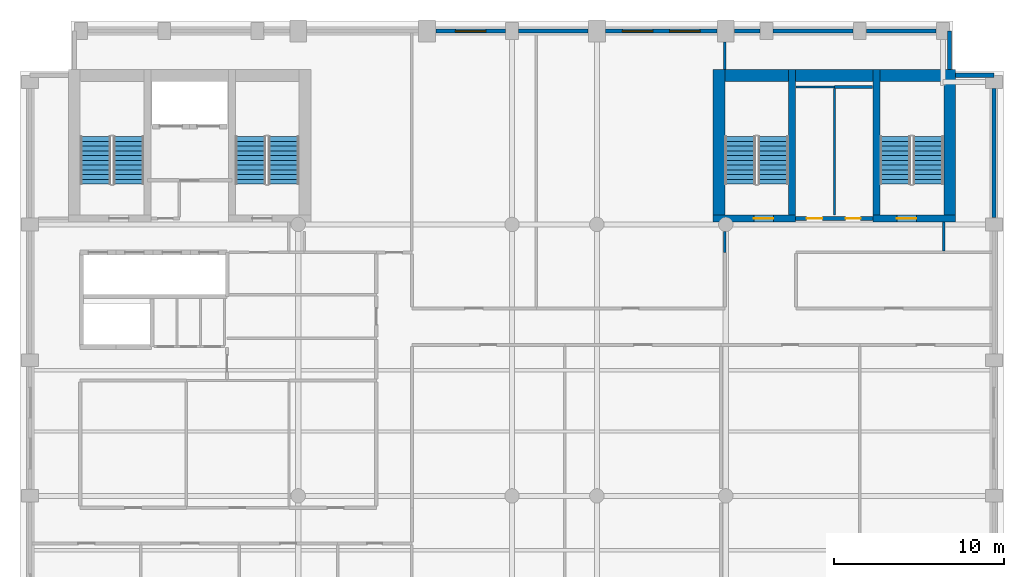
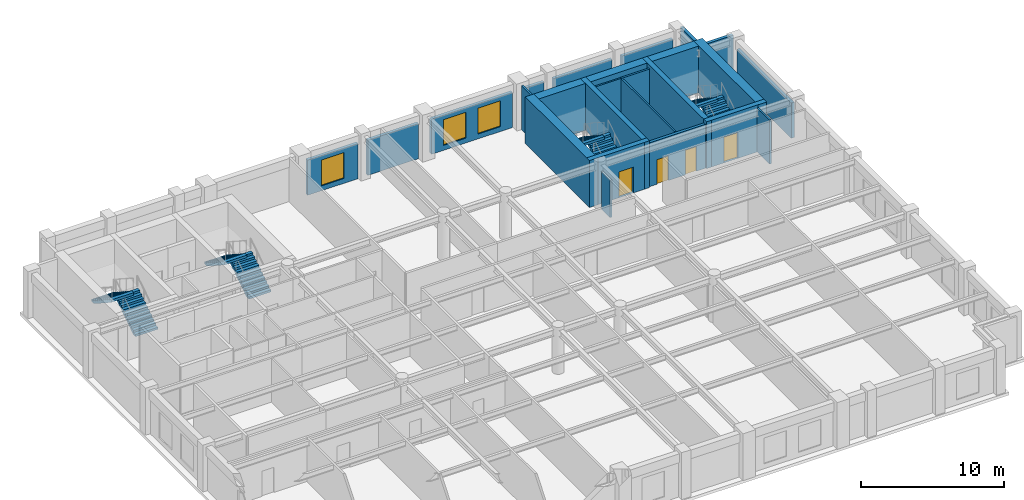
# One storey, part 6 of 8: 23 walls, 8 stair flights, 4 doors, 3 windows, 7 openings, 4 elements without a shape of their own.
"""IFC4 building model written with IfcOpenShell, lengths in metres."""

from ifc_helpers import new_model, si_unit, direction, frame, frame_2d, origin, place, context, subcontext, project, spatial, polyline, rectangle, outline, extrude, material, layer, layer_set, type_object, element, fill, aggregate, save


model = new_model("IFC4")

# Units and contexts
model_context = context("Model", 3, precision=1e-05, world=origin(), true_north=direction((0.0, 1.0)))
body_context = subcontext(model_context, "Body", "Model", "MODEL_VIEW")
ifc_project = project(units=[si_unit("LENGTHUNIT", "METRE"), si_unit("AREAUNIT", "SQUARE_METRE"), si_unit("VOLUMEUNIT", "CUBIC_METRE"), si_unit("PLANEANGLEUNIT", "RADIAN"), si_unit("MASSUNIT", "GRAM", prefix="KILO")], contexts=[model_context])

# Site, building, storey
site_placement = place(None, origin())
site = spatial("IfcSite", under=ifc_project, at=site_placement, CompositionType="ELEMENT")
building_placement = place(site_placement, origin())
building = spatial("IfcBuilding", under=site, at=building_placement, Name="Sulina Concourse Tower", CompositionType="ELEMENT")
storey_placement = place(building_placement, frame((0.0, 0.0, 256.60009765625)))
storey = spatial("IfcBuildingStorey", under=building, at=storey_placement, Name="L62", CompositionType="ELEMENT", Elevation=256.60009765625)

# Wall, opening, window
ifc_material_1 = material(Name="Precast concrete C50/60", Category="concrete")
ifc_layer_1 = layer(ifc_material_1, 0.239990234375)
ifc_layer_set_1 = layer_set([ifc_layer_1], Name="Precast concrete C50/60")
wall_type_1 = type_object("IfcWallType", Name="Crown Precast Masonry-Frame Facade Wall 240mm", PredefinedType="SOLIDWALL", material=ifc_layer_set_1)
wall_1_placement = place(storey_placement, frame((24.52001953125, 45.39990234375, 0.0), z_axis=(0.0, 0.0, 1.0), x_axis=(1.0, 0.0, 0.0)))
wall_1 = element("IfcWall", 1, at=wall_1_placement, inside=storey, type_object=wall_type_1, Name="L62 exterior precast wall N5", PredefinedType="SOLIDWALL", context=body_context, shape_type="SweptSolid", body=[
    extrude(rectangle(XDim=4.0849609375, YDim=0.239990234375, at=frame_2d((2.04248046875, 0.0))), origin(), (0.0, 0.0, 1.0), 3.0),
])
opening_1_placement = place(wall_1_placement, frame((1.142578125, 0.0, 0.419921875)))
opening_1 = element("IfcOpeningElement", 2, at=opening_1_placement, cuts=wall_1, Name="Opening WN-25", PredefinedType="OPENING", context=body_context, shape_type="SweptSolid", body=[
    extrude(rectangle(XDim=1.800048828125, YDim=2.199951171875, at=frame_2d((0.89990234375, 1.10009765625))), frame((0.0, 0.1298828125, 0.0), z_axis=(0.0, -1.0, 0.0), x_axis=(1.0, 0.0, 0.0)), (0.0, 0.0, 1.0), 0.260009765625),
])
ifc_material_2 = material(Name="Low-E solar double glazing in bronze aluminium", Category="aluminium")
window_type = type_object("IfcWindowType", Name="Punched Masonry-Frame Window 1800x2200", PartitioningType="SINGLE_PANEL", PredefinedType="WINDOW", material=ifc_material_2)
window_1_placement = place(opening_1_placement, origin())
window_1 = element("IfcWindow", 3, at=window_1_placement, inside=storey, type_object=window_type, Name="L62 punched window N5-1", OverallHeight=2.199951171875, OverallWidth=1.800048828125, PartitioningType="SINGLE_PANEL", PredefinedType="WINDOW", context=body_context, shape_type="SweptSolid", body=[
    extrude(rectangle(XDim=1.800048828125, YDim=2.199951171875, at=frame_2d((0.89990234375, 1.10009765625))), frame((0.0, 0.030029296875, 0.0), z_axis=(0.0, -1.0, 0.0), x_axis=(1.0, 0.0, 0.0)), (0.0, 0.0, 1.0), 0.06005859375),
])
fill(opening_1, window_1)

# Wall
wall_2_placement = place(storey_placement, frame((29.39501953125, 45.39990234375, 0.0), z_axis=(0.0, 0.0, 1.0), x_axis=(1.0, 0.0, 0.0)))
element("IfcWall", 4, at=wall_2_placement, inside=storey, type_object=wall_type_1, Name="L62 exterior precast wall N6", PredefinedType="SOLIDWALL", context=body_context, shape_type="SweptSolid", body=[
    extrude(rectangle(XDim=4.0849609375, YDim=0.239990234375, at=frame_2d((2.04248046875, 0.0))), origin(), (0.0, 0.0, 1.0), 3.0),
])

# Wall, openings, windows
wall_3_placement = place(storey_placement, frame((34.52001953125, 45.39990234375, 0.0), z_axis=(0.0, 0.0, 1.0), x_axis=(1.0, 0.0, 0.0)))
wall_3 = element("IfcWall", 5, at=wall_3_placement, inside=storey, type_object=wall_type_1, Name="L62 exterior precast wall N7", PredefinedType="SOLIDWALL", context=body_context, shape_type="SweptSolid", body=[
    extrude(rectangle(XDim=6.56005859375, YDim=0.239990234375, at=frame_2d((3.280029296875, 0.0))), origin(), (0.0, 0.0, 1.0), 3.0),
])
opening_2_placement = place(wall_3_placement, frame((0.98681640625, 0.0, 0.419921875)))
opening_2 = element("IfcOpeningElement", 6, at=opening_2_placement, cuts=wall_3, Name="Opening WN-25", PredefinedType="OPENING", context=body_context, shape_type="SweptSolid", body=[
    extrude(rectangle(XDim=1.800048828125, YDim=2.199951171875, at=frame_2d((0.89990234375, 1.10009765625))), frame((0.0, 0.1298828125, 0.0), z_axis=(0.0, -1.0, 0.0), x_axis=(1.0, 0.0, 0.0)), (0.0, 0.0, 1.0), 0.260009765625),
])
opening_3_placement = place(wall_3_placement, frame((3.773193359375, 0.0, 0.419921875)))
opening_3 = element("IfcOpeningElement", 7, at=opening_3_placement, cuts=wall_3, Name="Opening WN-25", PredefinedType="OPENING", context=body_context, shape_type="SweptSolid", body=[
    extrude(rectangle(XDim=1.800048828125, YDim=2.199951171875, at=frame_2d((0.89990234375, 1.10009765625))), frame((0.0, 0.1298828125, 0.0), z_axis=(0.0, -1.0, 0.0), x_axis=(1.0, 0.0, 0.0)), (0.0, 0.0, 1.0), 0.260009765625),
])
window_2_placement = place(opening_2_placement, origin())
window_2 = element("IfcWindow", 8, at=window_2_placement, inside=storey, type_object=window_type, Name="L62 punched window N7-1", OverallHeight=2.199951171875, OverallWidth=1.800048828125, PartitioningType="SINGLE_PANEL", PredefinedType="WINDOW", context=body_context, shape_type="SweptSolid", body=[
    extrude(rectangle(XDim=1.800048828125, YDim=2.199951171875, at=frame_2d((0.89990234375, 1.10009765625))), frame((0.0, 0.030029296875, 0.0), z_axis=(0.0, -1.0, 0.0), x_axis=(1.0, 0.0, 0.0)), (0.0, 0.0, 1.0), 0.06005859375),
])
fill(opening_2, window_2)
window_3_placement = place(opening_3_placement, origin())
window_3 = element("IfcWindow", 9, at=window_3_placement, inside=storey, type_object=window_type, Name="L62 punched window N7-2", OverallHeight=2.199951171875, OverallWidth=1.800048828125, PartitioningType="SINGLE_PANEL", PredefinedType="WINDOW", context=body_context, shape_type="SweptSolid", body=[
    extrude(rectangle(XDim=1.800048828125, YDim=2.199951171875, at=frame_2d((0.89990234375, 1.10009765625))), frame((0.0, 0.030029296875, 0.0), z_axis=(0.0, -1.0, 0.0), x_axis=(1.0, 0.0, 0.0)), (0.0, 0.0, 1.0), 0.06005859375),
])
fill(opening_3, window_3)

# Walls
wall_4_placement = place(storey_placement, frame((42.1201171875, 45.39990234375, 0.0), z_axis=(0.0, 0.0, 1.0), x_axis=(1.0, 0.0, 0.0)))
element("IfcWall", 10, at=wall_4_placement, inside=storey, type_object=wall_type_1, Name="L62 exterior precast wall N8", PredefinedType="SOLIDWALL", context=body_context, shape_type="SweptSolid", body=[
    extrude(rectangle(XDim=1.48486328125, YDim=0.239990234375, at=frame_2d((0.742431640625, 0.0))), origin(), (0.0, 0.0, 1.0), 3.0),
])
wall_5_placement = place(storey_placement, frame((44.39501953125, 45.39990234375, 0.0), z_axis=(0.0, 0.0, 1.0), x_axis=(1.0, 0.0, 0.0)))
element("IfcWall", 11, at=wall_5_placement, inside=storey, type_object=wall_type_1, Name="L62 exterior precast wall N9", PredefinedType="SOLIDWALL", context=body_context, shape_type="SweptSolid", body=[
    extrude(rectangle(XDim=4.7099609375, YDim=0.239990234375, at=frame_2d((2.35498046875, 0.0))), origin(), (0.0, 0.0, 1.0), 3.0),
])
wall_6_placement = place(storey_placement, frame((49.89501953125, 45.39990234375, 0.0), z_axis=(0.0, 0.0, 1.0), x_axis=(1.0, 0.0, 0.0)))
element("IfcWall", 12, at=wall_6_placement, inside=storey, type_object=wall_type_1, Name="L62 exterior precast wall N10", PredefinedType="SOLIDWALL", context=body_context, shape_type="SweptSolid", body=[
    extrude(rectangle(XDim=4.10986328125, YDim=0.239990234375, at=frame_2d((2.054931640625, 0.0))), origin(), (0.0, 0.0, 1.0), 3.0),
])
wall_7_placement = place(storey_placement, frame((57.39990234375, 42.0048828125, 0.0), z_axis=(0.0, 0.0, 1.0), x_axis=(0.0, -1.0, 0.0)))
element("IfcWall", 13, at=wall_7_placement, inside=storey, type_object=wall_type_1, Name="L62 exterior precast wall E5", PredefinedType="SOLIDWALL", context=body_context, shape_type="SweptSolid", body=[
    extrude(rectangle(XDim=7.60986328125, YDim=0.239990234375, at=frame_2d((3.804931640625, 0.0))), origin(), (0.0, 0.0, 1.0), 3.0),
])
wall_8_placement = place(storey_placement, frame((54.794921875, 45.39990234375, 0.0), z_axis=(0.0, 0.0, 1.0), x_axis=(0.0, -1.0, 0.0)))
element("IfcWall", 14, at=wall_8_placement, inside=storey, type_object=wall_type_1, Name="L62 exterior precast wall CNE1", PredefinedType="SOLIDWALL", context=body_context, shape_type="SweptSolid", body=[
    extrude(rectangle(XDim=2.264892578125, YDim=0.239990234375, at=frame_2d((1.13232421875, 0.0))), origin(), (0.0, 0.0, 1.0), 3.75),
])
wall_9_placement = place(storey_placement, frame((55.155029296875, 42.794921875, 0.0), z_axis=(0.0, 0.0, 1.0), x_axis=(1.0, 0.0, 0.0)))
element("IfcWall", 15, at=wall_9_placement, inside=storey, type_object=wall_type_1, Name="L62 exterior precast wall CNE2", PredefinedType="SOLIDWALL", context=body_context, shape_type="SweptSolid", body=[
    extrude(rectangle(XDim=2.244873046875, YDim=0.239990234375, at=frame_2d((1.12255859375, 0.0))), origin(), (0.0, 0.0, 1.0), 3.75),
])

# Wall, openings, doors
ifc_material_3 = material(Name="Gypsum board on steel stud", Category="steel")
ifc_layer_2 = layer(ifc_material_3, 0.219970703125)
ifc_layer_set_2 = layer_set([ifc_layer_2], Name="Gypsum board on steel stud")
wall_type_2 = type_object("IfcWallType", Name="Fire-Rated Lobby & Compartment Wall 220mm", PredefinedType="PARTITIONING", material=ifc_layer_set_2)
wall_10_placement = place(storey_placement, frame((45.719970703125, 34.35009765625, 0.0), z_axis=(0.0, 0.0, 1.0), x_axis=(1.0, 0.0, 0.0)))
wall_10 = element("IfcWall", 16, at=wall_10_placement, inside=storey, type_object=wall_type_2, Name="L62 east core south lobby wall", PredefinedType="PARTITIONING", context=body_context, shape_type="SweptSolid", body=[
    extrude(rectangle(XDim=4.56005859375, YDim=0.219970703125, at=frame_2d((2.280029296875, 0.0))), origin(), (0.0, 0.0, 1.0), 3.75),
])
opening_4_placement = place(wall_10_placement, frame((0.64990234375, 0.0, 0.0)))
opening_4 = element("IfcOpeningElement", 17, at=opening_4_placement, cuts=wall_10, Name="Opening DR-61", PredefinedType="OPENING", context=body_context, shape_type="SweptSolid", body=[
    extrude(rectangle(XDim=0.919921875, YDim=2.10009765625, at=frame_2d((0.4599609375, 1.050048828125))), frame((0.0, 0.119873046875, 0.0), z_axis=(0.0, -1.0, 0.0), x_axis=(1.0, 0.0, 0.0)), (0.0, 0.0, 1.0), 0.239990234375),
])
opening_5_placement = place(wall_10_placement, frame((2.949951171875, 0.0, 0.0)))
opening_5 = element("IfcOpeningElement", 18, at=opening_5_placement, cuts=wall_10, Name="Opening DR-38", PredefinedType="OPENING", context=body_context, shape_type="SweptSolid", body=[
    extrude(rectangle(XDim=0.8798828125, YDim=2.10009765625, at=frame_2d((0.43994140625, 1.050048828125))), frame((0.0, 0.119873046875, 0.0), z_axis=(0.0, -1.0, 0.0), x_axis=(1.0, 0.0, 0.0)), (0.0, 0.0, 1.0), 0.239990234375),
])
ifc_material_4 = material(Name="Oak-veneered fire door leaf")
ifc_layer_3 = layer(ifc_material_4, 0.050048828125)
ifc_layer_set_3 = layer_set([ifc_layer_3], Name="Oak-veneered fire door leaf")
door_type_1 = type_object("IfcDoorType", Name="Accessible WC Door 920x2100", OperationType="NOTDEFINED", PredefinedType="DOOR", material=ifc_layer_set_3)
door_1_placement = place(opening_4_placement, origin())
door_1 = element("IfcDoor", 19, at=door_1_placement, inside=storey, type_object=door_type_1, Name="L62 east core accessible wc door", OperationType="SINGLE_SWING_LEFT", OverallHeight=2.10009765625, OverallWidth=0.919921875, PredefinedType="DOOR", context=body_context, shape_type="SweptSolid", body=[
    extrude(rectangle(XDim=0.919921875, YDim=2.10009765625, at=frame_2d((0.4599609375, 1.050048828125))), frame((0.0, 0.02490234375, 0.0), z_axis=(0.0, -1.0, 0.0), x_axis=(1.0, 0.0, 0.0)), (0.0, 0.0, 1.0), 0.050048828125),
])
fill(opening_4, door_1)
ifc_material_5 = material(Name="Galvanised steel acoustic fire leaf", Category="steel")
ifc_layer_4 = layer(ifc_material_5, 0.050048828125)
ifc_layer_set_4 = layer_set([ifc_layer_4], Name="Galvanised steel acoustic fire leaf")
door_type_2 = type_object("IfcDoorType", Name="Service Riser Fire Door 880x2100", OperationType="NOTDEFINED", PredefinedType="DOOR", material=ifc_layer_set_4)
door_2_placement = place(opening_5_placement, origin())
door_2 = element("IfcDoor", 20, at=door_2_placement, inside=storey, type_object=door_type_2, Name="L62 east core store door", OperationType="SINGLE_SWING_RIGHT", OverallHeight=2.10009765625, OverallWidth=0.8798828125, PredefinedType="DOOR", context=body_context, shape_type="SweptSolid", body=[
    extrude(rectangle(XDim=0.8798828125, YDim=2.10009765625, at=frame_2d((0.43994140625, 1.050048828125))), frame((0.0, 0.02490234375, 0.0), z_axis=(0.0, -1.0, 0.0), x_axis=(1.0, 0.0, 0.0)), (0.0, 0.0, 1.0), 0.050048828125),
])
fill(opening_5, door_2)

# Walls
ifc_material_6 = material(Name="Gypsum board on steel stud", Category="steel")
ifc_layer_5 = layer(ifc_material_6, 0.14990234375)
ifc_layer_set_5 = layer_set([ifc_layer_5], Name="Gypsum board on steel stud")
wall_type_3 = type_object("IfcWallType", Name="Inter-Tenancy Acoustic Partition 150mm", PredefinedType="PARTITIONING", material=ifc_layer_set_5)
wall_11_placement = place(storey_placement, frame((48.0, 42.10009765625, 0.0), z_axis=(0.0, 0.0, 1.0), x_axis=(1.0, 0.0, 0.0)))
element("IfcWall", 21, at=wall_11_placement, inside=storey, type_object=wall_type_3, Name="L62 interior partition 033", PredefinedType="PARTITIONING", context=body_context, shape_type="SweptSolid", body=[
    extrude(rectangle(XDim=2.25, YDim=0.14990234375, at=frame_2d((1.125, 0.0))), origin(), (0.0, 0.0, 1.0), 3.75),
])
wall_12_placement = place(storey_placement, frame((41.550048828125, 32.35009765625, 0.0), z_axis=(0.0, 0.0, 1.0), x_axis=(0.0, 1.0, 0.0)))
element("IfcWall", 22, at=wall_12_placement, inside=storey, type_object=wall_type_3, Name="L62 interior partition 061", PredefinedType="PARTITIONING", context=body_context, shape_type="SweptSolid", body=[
    extrude(rectangle(XDim=1.224853515625, YDim=0.14990234375, at=frame_2d((0.6123046875, 0.0))), origin(), (0.0, 0.0, 1.0), 3.19482421875),
])
wall_13_placement = place(storey_placement, frame((41.550048828125, 43.1298828125, 0.0), z_axis=(0.0, 0.0, 1.0), x_axis=(0.0, 1.0, 0.0)))
element("IfcWall", 23, at=wall_13_placement, inside=storey, type_object=wall_type_3, Name="L62 interior partition 062", PredefinedType="PARTITIONING", context=body_context, shape_type="SweptSolid", body=[
    extrude(rectangle(XDim=1.6201171875, YDim=0.14990234375, at=frame_2d((0.81005859375, 0.0))), origin(), (0.0, 0.0, 1.0), 3.75),
])
wall_14_placement = place(storey_placement, frame((54.449951171875, 32.425048828125, 0.0), z_axis=(0.0, 0.0, 1.0), x_axis=(0.0, 1.0, 0.0)))
element("IfcWall", 24, at=wall_14_placement, inside=storey, type_object=wall_type_3, Name="L62 interior partition 066", PredefinedType="PARTITIONING", context=body_context, shape_type="SweptSolid", body=[
    extrude(rectangle(XDim=1.724853515625, YDim=0.14990234375, at=frame_2d((0.8623046875, 0.0))), origin(), (0.0, 0.0, 1.0), 3.75),
])

# Wall, opening, door
ifc_material_7 = material(Name="Concrete C60/75", Category="concrete")
ifc_layer_6 = layer(ifc_material_7, 0.39990234375)
ifc_layer_set_6 = layer_set([ifc_layer_6], Name="Concrete C60/75")
wall_type_4 = type_object("IfcWallType", Name="Protected Stair Core Shear Wall 400mm", PredefinedType="SHEAR", material=ifc_layer_set_6)
wall_15_placement = place(storey_placement, frame((40.85009765625, 34.35009765625, 0.0), z_axis=(0.0, 0.0, 1.0), x_axis=(1.0, 0.0, 0.0)))
wall_15 = element("IfcWall", 25, at=wall_15_placement, inside=storey, type_object=wall_type_4, Name="L62 east core shear wall CW-ES1", PredefinedType="SHEAR", context=body_context, shape_type="SweptSolid", body=[
    extrude(rectangle(XDim=4.85986328125, YDim=0.39990234375, at=frame_2d((2.429931640625, 0.0))), origin(), (0.0, 0.0, 1.0), 4.0),
])
opening_6_placement = place(wall_15_placement, frame((2.39990234375, 0.0, 0.0)))
opening_6 = element("IfcOpeningElement", 26, at=opening_6_placement, cuts=wall_15, Name="Opening DR-60", PredefinedType="OPENING", context=body_context, shape_type="SweptSolid", body=[
    extrude(rectangle(XDim=1.14990234375, YDim=2.199951171875, at=frame_2d((0.574951171875, 1.10009765625))), frame((0.0, 0.2099609375, 0.0), z_axis=(0.0, -1.0, 0.0), x_axis=(1.0, 0.0, 0.0)), (0.0, 0.0, 1.0), 0.419921875),
])
ifc_material_8 = material(Name="Galvanised steel acoustic fire leaf", Category="steel")
ifc_layer_7 = layer(ifc_material_8, 0.054931640625)
ifc_layer_set_7 = layer_set([ifc_layer_7], Name="Galvanised steel acoustic fire leaf")
door_type_3 = type_object("IfcDoorType", Name="Protected Exit Stair Fire Door 1150x2200", OperationType="NOTDEFINED", PredefinedType="DOOR", material=ifc_layer_set_7)
door_3_placement = place(opening_6_placement, origin())
door_3 = element("IfcDoor", 27, at=door_3_placement, inside=storey, type_object=door_type_3, Name="L62 stair ST-3 south lobby fire door", OperationType="SINGLE_SWING_RIGHT", OverallHeight=2.199951171875, OverallWidth=1.14990234375, PredefinedType="DOOR", context=body_context, shape_type="SweptSolid", body=[
    extrude(rectangle(XDim=1.14990234375, YDim=2.199951171875, at=frame_2d((0.574951171875, 1.10009765625))), frame((0.0, 0.02490234375, 0.0), z_axis=(0.0, -1.0, 0.0), x_axis=(1.0, 0.0, 0.0)), (0.0, 0.0, 1.0), 0.050048828125),
])
fill(opening_6, door_3)

# Wall
wall_16_placement = place(storey_placement, frame((45.510009765625, 34.14990234375, 0.0), z_axis=(0.0, 0.0, 1.0), x_axis=(0.0, 1.0, 0.0)))
element("IfcWall", 28, at=wall_16_placement, inside=storey, type_object=wall_type_4, Name="L62 east core shear wall SW-ST3", PredefinedType="SHEAR", context=body_context, shape_type="SweptSolid", body=[
    extrude(rectangle(XDim=8.97998046875, YDim=0.39990234375, at=frame_2d((4.489990234375, 0.0))), origin(), (0.0, 0.0, 1.0), 4.0),
])

# Wall, opening, door
wall_17_placement = place(storey_placement, frame((50.2900390625, 34.35009765625, 0.0), z_axis=(0.0, 0.0, 1.0), x_axis=(1.0, 0.0, 0.0)))
wall_17 = element("IfcWall", 29, at=wall_17_placement, inside=storey, type_object=wall_type_4, Name="L62 east core shear wall CW-ES2", PredefinedType="SHEAR", context=body_context, shape_type="SweptSolid", body=[
    extrude(rectangle(XDim=4.85986328125, YDim=0.39990234375, at=frame_2d((2.429931640625, 0.0))), origin(), (0.0, 0.0, 1.0), 4.0),
])
opening_7_placement = place(wall_17_placement, frame((1.39990234375, 0.0, 0.0)))
opening_7 = element("IfcOpeningElement", 30, at=opening_7_placement, cuts=wall_17, Name="Opening DR-60", PredefinedType="OPENING", context=body_context, shape_type="SweptSolid", body=[
    extrude(rectangle(XDim=1.14990234375, YDim=2.199951171875, at=frame_2d((0.574951171875, 1.10009765625))), frame((0.0, 0.2099609375, 0.0), z_axis=(0.0, -1.0, 0.0), x_axis=(1.0, 0.0, 0.0)), (0.0, 0.0, 1.0), 0.419921875),
])
door_4_placement = place(opening_7_placement, origin())
door_4 = element("IfcDoor", 31, at=door_4_placement, inside=storey, type_object=door_type_3, Name="L62 stair ST-4 south lobby fire door", OperationType="SINGLE_SWING_LEFT", OverallHeight=2.199951171875, OverallWidth=1.14990234375, PredefinedType="DOOR", context=body_context, shape_type="SweptSolid", body=[
    extrude(rectangle(XDim=1.14990234375, YDim=2.199951171875, at=frame_2d((0.574951171875, 1.10009765625))), frame((0.0, 0.02490234375, 0.0), z_axis=(0.0, -1.0, 0.0), x_axis=(1.0, 0.0, 0.0)), (0.0, 0.0, 1.0), 0.050048828125),
])
fill(opening_7, door_4)

# Walls
wall_18_placement = place(storey_placement, frame((50.489990234375, 34.14990234375, 0.0), z_axis=(0.0, 0.0, 1.0), x_axis=(0.0, 1.0, 0.0)))
element("IfcWall", 32, at=wall_18_placement, inside=storey, type_object=wall_type_4, Name="L62 east core shear wall SW-ST4", PredefinedType="SHEAR", context=body_context, shape_type="SweptSolid", body=[
    extrude(rectangle(XDim=8.97998046875, YDim=0.39990234375, at=frame_2d((4.489990234375, 0.0))), origin(), (0.0, 0.0, 1.0), 4.0),
])
ifc_material_9 = material(Name="Concrete C60/75", Category="concrete")
ifc_layer_8 = layer(ifc_material_9, 0.699951171875)
ifc_layer_set_8 = layer_set([ifc_layer_8], Name="Concrete C60/75")
wall_type_5 = type_object("IfcWallType", Name="Rear Core Shear Wall 700mm", PredefinedType="SHEAR", material=ifc_layer_set_8)
wall_19_placement = place(storey_placement, frame((40.85009765625, 42.780029296875, 0.0), z_axis=(0.0, 0.0, 1.0), x_axis=(1.0, 0.0, 0.0)))
element("IfcWall", 33, at=wall_19_placement, inside=storey, type_object=wall_type_5, Name="L62 east core shear wall CW-EN", PredefinedType="SHEAR", context=body_context, shape_type="SweptSolid", body=[
    extrude(rectangle(XDim=14.2998046875, YDim=0.699951171875, at=frame_2d((7.14990234375, 0.0))), origin(), (0.0, 0.0, 1.0), 4.0),
])
for number, where, z_axis, x_axis, name in (
    (34, (41.199951171875, 34.14990234375, 0.0), (0.0, 0.0, 1.0), (0.0, 1.0, 0.0), "L62 east core shear wall CW-EW"),
    (35, (54.800048828125, 34.14990234375, 0.0), (0.0, 0.0, 1.0), (0.0, 1.0, 0.0), "L62 east core shear wall CW-EE"),
):
    element("IfcWall", number, at=place(storey_placement, frame(where, z_axis=z_axis, x_axis=x_axis)), inside=storey, type_object=wall_type_5, Name=name, PredefinedType="SHEAR", context=body_context, shape_type="SweptSolid", body=[
        extrude(rectangle(XDim=8.97998046875, YDim=0.699951171875, at=frame_2d((4.489990234375, 0.0))), origin(), (0.0, 0.0, 1.0), 4.0),
    ])
ifc_material_10 = material(Name="Gypsum board on steel stud", Category="steel")
ifc_layer_9 = layer(ifc_material_10, 0.125)
ifc_layer_set_9 = layer_set([ifc_layer_9], Name="Gypsum board on steel stud")
wall_type_6 = type_object("IfcWallType", Name="Wet-Area Moisture-Resistant Partition 125mm", PredefinedType="PARTITIONING", material=ifc_layer_set_9)
wall_20_placement = place(storey_placement, frame((45.75, 42.10009765625, 0.0), z_axis=(0.0, 0.0, 1.0), x_axis=(1.0, 0.0, 0.0)))
element("IfcWall", 36, at=wall_20_placement, inside=storey, type_object=wall_type_6, Name="L62 interior partition 032", PredefinedType="PARTITIONING", context=body_context, shape_type="SweptSolid", body=[
    extrude(rectangle(XDim=2.25, YDim=0.125, at=frame_2d((1.125, 0.0))), origin(), (0.0, 0.0, 1.0), 3.75),
])
wall_21_placement = place(storey_placement, frame((48.0, 34.550048828125, 0.0), z_axis=(0.0, 0.0, 1.0), x_axis=(0.0, 1.0, 0.0)))
element("IfcWall", 37, at=wall_21_placement, inside=storey, type_object=wall_type_6, Name="L62 interior partition 064", PredefinedType="PARTITIONING", context=body_context, shape_type="SweptSolid", body=[
    extrude(rectangle(XDim=7.474853515625, YDim=0.125, at=frame_2d((3.7373046875, 0.0))), origin(), (0.0, 0.0, 1.0), 3.75),
])

# Stair, stair flights
ifc_material_11 = material(Name="Concrete C50/60", Category="concrete")
stair_type_1 = type_object("IfcStairType", Name="Portal & Podium Core Exit Stair 1820mm", PredefinedType="HALF_TURN_STAIR", material=ifc_material_11)
stair_1_placement = place(storey_placement, origin())
stair_1 = element("IfcStair", 38, at=stair_1_placement, inside=storey, type_object=stair_type_1, Name="L62 ST-3", PredefinedType="HALF_TURN_STAIR")
ifc_material_12 = material(Name="Concrete C50/60", Category="concrete")
stair_flight_type_1 = type_object("IfcStairFlightType", Name="Portal & Podium Core Exit Stair 1820mm Flight", PredefinedType="STRAIGHT", material=ifc_material_12)
stair_flight_1_placement = place(storey_placement, frame((44.405029296875, 36.375, 0.0), z_axis=(0.0, 0.0, 1.0), x_axis=(0.0, 1.0, 0.0)))
stair_flight_1 = element("IfcStairFlight", 39, at=stair_flight_1_placement, type_object=stair_flight_type_1, Name="ST-3 flight 1", NumberOfRisers=11, NumberOfTreads=10, PredefinedType="STRAIGHT", RiserHeight=0.181818182, TreadLength=0.28, context=body_context, shape_type="SweptSolid", body=[
    extrude(outline(polyline([(0.0, 0.0), (0.0, 0.181884765625), (0.280029296875, 0.181884765625), (0.280029296875, 0.363525390625), (0.56005859375, 0.363525390625), (0.56005859375, 0.54541015625), (0.840087890625, 0.54541015625), (0.840087890625, 0.727294921875), (1.1201171875, 0.727294921875), (1.1201171875, 0.9091796875), (1.39990234375, 0.9091796875), (1.39990234375, 1.0908203125), (1.679931640625, 1.0908203125), (1.679931640625, 1.272705078125), (1.9599609375, 1.272705078125), (1.9599609375, 1.45458984375), (2.239990234375, 1.45458984375), (2.239990234375, 1.636474609375), (2.52001953125, 1.636474609375), (2.52001953125, 1.818115234375), (2.800048828125, 1.818115234375), (2.800048828125, 2.0), (2.800048828125, 1.603759765625), (0.330322265625, 0.0), (0.0, 0.0)])), frame((0.0, 0.89990234375, 0.0), z_axis=(0.0, -1.0, 0.0), x_axis=(1.0, 0.0, 0.0)), (0.0, 0.0, 1.0), 1.800048828125),
])
stair_flight_2_placement = place(storey_placement, frame((42.455078125, 39.175048828125, 2.0), z_axis=(0.0, 0.0, 1.0), x_axis=(0.0, -1.0, 0.0)))
stair_flight_2 = element("IfcStairFlight", 40, at=stair_flight_2_placement, type_object=stair_flight_type_1, Name="ST-3 flight 2", NumberOfRisers=11, NumberOfTreads=10, PredefinedType="STRAIGHT", RiserHeight=0.181818182, TreadLength=0.28, context=body_context, shape_type="SweptSolid", body=[
    extrude(outline(polyline([(0.0, 0.0), (0.0, 0.181884765625), (0.280029296875, 0.181884765625), (0.280029296875, 0.363525390625), (0.56005859375, 0.363525390625), (0.56005859375, 0.54541015625), (0.840087890625, 0.54541015625), (0.840087890625, 0.727294921875), (1.1201171875, 0.727294921875), (1.1201171875, 0.9091796875), (1.39990234375, 0.9091796875), (1.39990234375, 1.0908203125), (1.679931640625, 1.0908203125), (1.679931640625, 1.272705078125), (1.9599609375, 1.272705078125), (1.9599609375, 1.45458984375), (2.239990234375, 1.45458984375), (2.239990234375, 1.636474609375), (2.52001953125, 1.636474609375), (2.52001953125, 1.818115234375), (2.800048828125, 1.818115234375), (2.800048828125, 2.0), (2.800048828125, 1.603759765625), (0.330322265625, 0.0), (0.0, 0.0)])), frame((0.0, 0.89990234375, 0.0), z_axis=(0.0, -1.0, 0.0), x_axis=(1.0, 0.0, 0.0)), (0.0, 0.0, 1.0), 1.800048828125),
])
aggregate(stair_1, [stair_flight_1, stair_flight_2])

stair_2_placement = place(storey_placement, origin())
stair_2 = element("IfcStair", 41, at=stair_2_placement, inside=storey, type_object=stair_type_1, Name="L62 ST-4", PredefinedType="HALF_TURN_STAIR")
stair_flight_3_placement = place(storey_placement, frame((53.544921875, 36.375, 0.0), z_axis=(0.0, 0.0, 1.0), x_axis=(0.0, 1.0, 0.0)))
stair_flight_3 = element("IfcStairFlight", 42, at=stair_flight_3_placement, type_object=stair_flight_type_1, Name="ST-4 flight 1", NumberOfRisers=11, NumberOfTreads=10, PredefinedType="STRAIGHT", RiserHeight=0.181818182, TreadLength=0.28, context=body_context, shape_type="SweptSolid", body=[
    extrude(outline(polyline([(0.0, 0.0), (0.0, 0.181884765625), (0.280029296875, 0.181884765625), (0.280029296875, 0.363525390625), (0.56005859375, 0.363525390625), (0.56005859375, 0.54541015625), (0.840087890625, 0.54541015625), (0.840087890625, 0.727294921875), (1.1201171875, 0.727294921875), (1.1201171875, 0.9091796875), (1.39990234375, 0.9091796875), (1.39990234375, 1.0908203125), (1.679931640625, 1.0908203125), (1.679931640625, 1.272705078125), (1.9599609375, 1.272705078125), (1.9599609375, 1.45458984375), (2.239990234375, 1.45458984375), (2.239990234375, 1.636474609375), (2.52001953125, 1.636474609375), (2.52001953125, 1.818115234375), (2.800048828125, 1.818115234375), (2.800048828125, 2.0), (2.800048828125, 1.603759765625), (0.330322265625, 0.0), (0.0, 0.0)])), frame((0.0, 0.89990234375, 0.0), z_axis=(0.0, -1.0, 0.0), x_axis=(1.0, 0.0, 0.0)), (0.0, 0.0, 1.0), 1.800048828125),
])
stair_flight_4_placement = place(storey_placement, frame((51.594970703125, 39.175048828125, 2.0), z_axis=(0.0, 0.0, 1.0), x_axis=(0.0, -1.0, 0.0)))
stair_flight_4 = element("IfcStairFlight", 43, at=stair_flight_4_placement, type_object=stair_flight_type_1, Name="ST-4 flight 2", NumberOfRisers=11, NumberOfTreads=10, PredefinedType="STRAIGHT", RiserHeight=0.181818182, TreadLength=0.28, context=body_context, shape_type="SweptSolid", body=[
    extrude(outline(polyline([(0.0, 0.0), (0.0, 0.181884765625), (0.280029296875, 0.181884765625), (0.280029296875, 0.363525390625), (0.56005859375, 0.363525390625), (0.56005859375, 0.54541015625), (0.840087890625, 0.54541015625), (0.840087890625, 0.727294921875), (1.1201171875, 0.727294921875), (1.1201171875, 0.9091796875), (1.39990234375, 0.9091796875), (1.39990234375, 1.0908203125), (1.679931640625, 1.0908203125), (1.679931640625, 1.272705078125), (1.9599609375, 1.272705078125), (1.9599609375, 1.45458984375), (2.239990234375, 1.45458984375), (2.239990234375, 1.636474609375), (2.52001953125, 1.636474609375), (2.52001953125, 1.818115234375), (2.800048828125, 1.818115234375), (2.800048828125, 2.0), (2.800048828125, 1.603759765625), (0.330322265625, 0.0), (0.0, 0.0)])), frame((0.0, 0.89990234375, 0.0), z_axis=(0.0, -1.0, 0.0), x_axis=(1.0, 0.0, 0.0)), (0.0, 0.0, 1.0), 1.800048828125),
])
aggregate(stair_2, [stair_flight_3, stair_flight_4])

ifc_material_13 = material(Name="Concrete C50/60", Category="concrete")
stair_type_2 = type_object("IfcStairType", Name="Primary Core Dog-Leg Exit Stair 1800mm", PredefinedType="HALF_TURN_STAIR", material=ifc_material_13)
stair_3_placement = place(storey_placement, origin())
stair_3 = element("IfcStair", 44, at=stair_3_placement, inside=storey, type_object=stair_type_2, Name="L62 ST-1", PredefinedType="HALF_TURN_STAIR")
ifc_material_14 = material(Name="Concrete C50/60", Category="concrete")
stair_flight_type_2 = type_object("IfcStairFlightType", Name="Primary Core Dog-Leg Exit Stair 1800mm Flight", PredefinedType="STRAIGHT", material=ifc_material_14)
stair_flight_5_placement = place(storey_placement, frame((6.405029296875, 36.375, 0.0), z_axis=(0.0, 0.0, 1.0), x_axis=(0.0, 1.0, 0.0)))
stair_flight_5 = element("IfcStairFlight", 45, at=stair_flight_5_placement, type_object=stair_flight_type_2, Name="ST-1 flight 1", NumberOfRisers=11, NumberOfTreads=10, PredefinedType="STRAIGHT", RiserHeight=0.181818182, TreadLength=0.28, context=body_context, shape_type="SweptSolid", body=[
    extrude(outline(polyline([(0.0, 0.0), (0.0, 0.181884765625), (0.280029296875, 0.181884765625), (0.280029296875, 0.363525390625), (0.56005859375, 0.363525390625), (0.56005859375, 0.54541015625), (0.840087890625, 0.54541015625), (0.840087890625, 0.727294921875), (1.1201171875, 0.727294921875), (1.1201171875, 0.9091796875), (1.39990234375, 0.9091796875), (1.39990234375, 1.0908203125), (1.679931640625, 1.0908203125), (1.679931640625, 1.272705078125), (1.9599609375, 1.272705078125), (1.9599609375, 1.45458984375), (2.239990234375, 1.45458984375), (2.239990234375, 1.636474609375), (2.52001953125, 1.636474609375), (2.52001953125, 1.818115234375), (2.800048828125, 1.818115234375), (2.800048828125, 2.0), (2.800048828125, 1.603759765625), (0.330322265625, 0.0), (0.0, 0.0)])), frame((0.0, 0.89990234375, 0.0), z_axis=(0.0, -1.0, 0.0), x_axis=(1.0, 0.0, 0.0)), (0.0, 0.0, 1.0), 1.800048828125),
])
stair_flight_6_placement = place(storey_placement, frame((4.455078125, 39.175048828125, 2.0), z_axis=(0.0, 0.0, 1.0), x_axis=(0.0, -1.0, 0.0)))
stair_flight_6 = element("IfcStairFlight", 46, at=stair_flight_6_placement, type_object=stair_flight_type_2, Name="ST-1 flight 2", NumberOfRisers=11, NumberOfTreads=10, PredefinedType="STRAIGHT", RiserHeight=0.181818182, TreadLength=0.28, context=body_context, shape_type="SweptSolid", body=[
    extrude(outline(polyline([(0.0, 0.0), (0.0, 0.181884765625), (0.280029296875, 0.181884765625), (0.280029296875, 0.363525390625), (0.56005859375, 0.363525390625), (0.56005859375, 0.54541015625), (0.840087890625, 0.54541015625), (0.840087890625, 0.727294921875), (1.1201171875, 0.727294921875), (1.1201171875, 0.9091796875), (1.39990234375, 0.9091796875), (1.39990234375, 1.0908203125), (1.679931640625, 1.0908203125), (1.679931640625, 1.272705078125), (1.9599609375, 1.272705078125), (1.9599609375, 1.45458984375), (2.239990234375, 1.45458984375), (2.239990234375, 1.636474609375), (2.52001953125, 1.636474609375), (2.52001953125, 1.818115234375), (2.800048828125, 1.818115234375), (2.800048828125, 2.0), (2.800048828125, 1.603759765625), (0.330322265625, 0.0), (0.0, 0.0)])), frame((0.0, 0.89990234375, 0.0), z_axis=(0.0, -1.0, 0.0), x_axis=(1.0, 0.0, 0.0)), (0.0, 0.0, 1.0), 1.800048828125),
])
aggregate(stair_3, [stair_flight_5, stair_flight_6])

stair_4_placement = place(storey_placement, origin())
stair_4 = element("IfcStair", 47, at=stair_4_placement, inside=storey, type_object=stair_type_2, Name="L62 ST-2", PredefinedType="HALF_TURN_STAIR")
stair_flight_7_placement = place(storey_placement, frame((15.544921875, 36.375, 0.0), z_axis=(0.0, 0.0, 1.0), x_axis=(0.0, 1.0, 0.0)))
stair_flight_7 = element("IfcStairFlight", 48, at=stair_flight_7_placement, type_object=stair_flight_type_2, Name="ST-2 flight 1", NumberOfRisers=11, NumberOfTreads=10, PredefinedType="STRAIGHT", RiserHeight=0.181818182, TreadLength=0.28, context=body_context, shape_type="SweptSolid", body=[
    extrude(outline(polyline([(0.0, 0.0), (0.0, 0.181884765625), (0.280029296875, 0.181884765625), (0.280029296875, 0.363525390625), (0.56005859375, 0.363525390625), (0.56005859375, 0.54541015625), (0.840087890625, 0.54541015625), (0.840087890625, 0.727294921875), (1.1201171875, 0.727294921875), (1.1201171875, 0.9091796875), (1.39990234375, 0.9091796875), (1.39990234375, 1.0908203125), (1.679931640625, 1.0908203125), (1.679931640625, 1.272705078125), (1.9599609375, 1.272705078125), (1.9599609375, 1.45458984375), (2.239990234375, 1.45458984375), (2.239990234375, 1.636474609375), (2.52001953125, 1.636474609375), (2.52001953125, 1.818115234375), (2.800048828125, 1.818115234375), (2.800048828125, 2.0), (2.800048828125, 1.603759765625), (0.330322265625, 0.0), (0.0, 0.0)])), frame((0.0, 0.89990234375, 0.0), z_axis=(0.0, -1.0, 0.0), x_axis=(1.0, 0.0, 0.0)), (0.0, 0.0, 1.0), 1.800048828125),
])
stair_flight_8_placement = place(storey_placement, frame((13.594970703125, 39.175048828125, 2.0), z_axis=(0.0, 0.0, 1.0), x_axis=(0.0, -1.0, 0.0)))
stair_flight_8 = element("IfcStairFlight", 49, at=stair_flight_8_placement, type_object=stair_flight_type_2, Name="ST-2 flight 2", NumberOfRisers=11, NumberOfTreads=10, PredefinedType="STRAIGHT", RiserHeight=0.181818182, TreadLength=0.28, context=body_context, shape_type="SweptSolid", body=[
    extrude(outline(polyline([(0.0, 0.0), (0.0, 0.181884765625), (0.280029296875, 0.181884765625), (0.280029296875, 0.363525390625), (0.56005859375, 0.363525390625), (0.56005859375, 0.54541015625), (0.840087890625, 0.54541015625), (0.840087890625, 0.727294921875), (1.1201171875, 0.727294921875), (1.1201171875, 0.9091796875), (1.39990234375, 0.9091796875), (1.39990234375, 1.0908203125), (1.679931640625, 1.0908203125), (1.679931640625, 1.272705078125), (1.9599609375, 1.272705078125), (1.9599609375, 1.45458984375), (2.239990234375, 1.45458984375), (2.239990234375, 1.636474609375), (2.52001953125, 1.636474609375), (2.52001953125, 1.818115234375), (2.800048828125, 1.818115234375), (2.800048828125, 2.0), (2.800048828125, 1.603759765625), (0.330322265625, 0.0), (0.0, 0.0)])), frame((0.0, 0.89990234375, 0.0), z_axis=(0.0, -1.0, 0.0), x_axis=(1.0, 0.0, 0.0)), (0.0, 0.0, 1.0), 1.800048828125),
])
aggregate(stair_4, [stair_flight_7, stair_flight_8])

save(model, "model.ifc")
